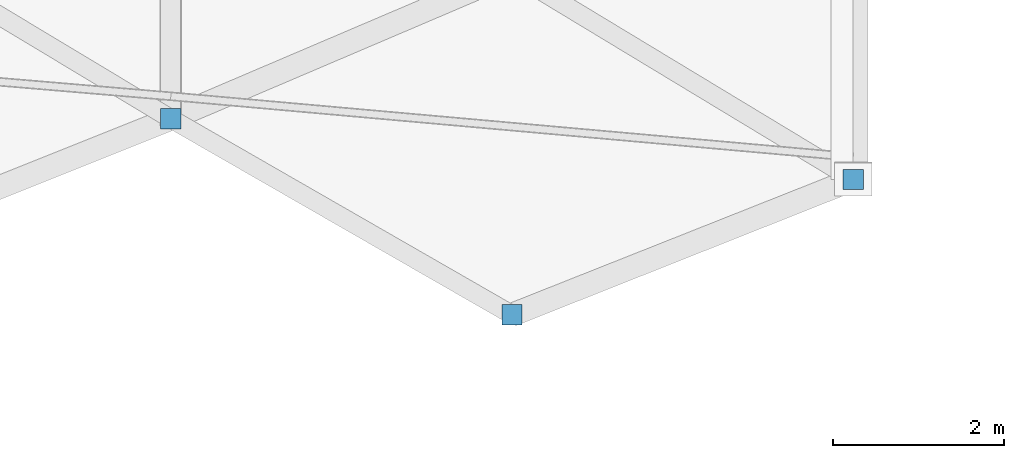
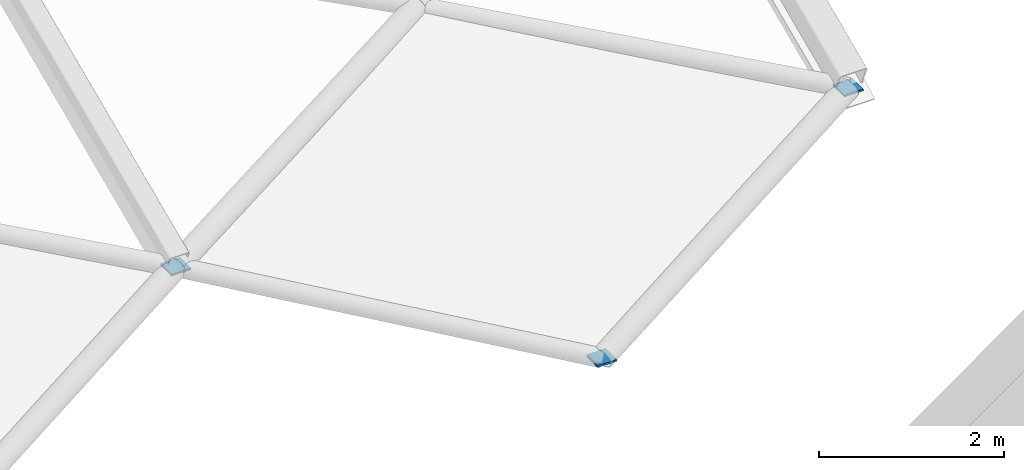
# One storey, part 45 of 54: 3 discrete accessories.
"""IFC4 building model written with IfcOpenShell, lengths in metres."""

from ifc_helpers import new_model, si_unit, direction, frame, origin, origin_2d, place, context, subcontext, project, spatial, rectangle, extrude, material, type_object, element, save


model = new_model("IFC4")

# Units and contexts
model_context = context("Model", 3, precision=1e-05, world=origin(), true_north=direction((0.0, 1.0)))
body_context = subcontext(model_context, "Body", "Model", "MODEL_VIEW")
ifc_project = project(units=[si_unit("LENGTHUNIT", "METRE"), si_unit("AREAUNIT", "SQUARE_METRE"), si_unit("VOLUMEUNIT", "CUBIC_METRE"), si_unit("PLANEANGLEUNIT", "RADIAN"), si_unit("MASSUNIT", "GRAM", prefix="KILO")], contexts=[model_context])

# Site, building, storey
site_placement = place(None, origin())
site = spatial("IfcSite", under=ifc_project, at=site_placement, CompositionType="ELEMENT")
building_placement = place(site_placement, origin())
building = spatial("IfcBuilding", under=site, at=building_placement, Name="Kenh Van Central Station", CompositionType="ELEMENT")
storey_placement = place(building_placement, frame((0.0, 0.0, 15.0)))
storey = spatial("IfcBuildingStorey", under=building, at=storey_placement, Name="L03", CompositionType="ELEMENT", Elevation=15.0)

# Discrete accessories
ifc_material = material(Name="White fluoropolymer structural steel S355", Category="steel")
discrete_accessory_type = type_object("IfcDiscreteAccessoryType", Name="ACC-END-NODE-VLT", PredefinedType="BRACKET", material=ifc_material)
for number, where, z_axis, x_axis, name in (
    (1, (136.0, 70.9814453125, 2.216064453125), (0.0, 0.0, 1.0), (1.0, 0.0, 0.0), "L03 brace end connection node plate 0274"),
    (2, (140.0, 68.682373046875, 1.0029296875), (0.0, 0.0, 1.0), (1.0, 0.0, 0.0), "L03 brace end connection node plate 0283"),
    (3, (144.0, 70.269287109375, 2.216064453125), (0.0, 0.0, 1.0), (1.0, 0.0, 0.0), "L03 brace end connection node plate 0295"),
):
    element("IfcDiscreteAccessory", number, at=place(storey_placement, frame(where, z_axis=z_axis, x_axis=x_axis)), inside=storey, type_object=discrete_accessory_type, Name=name, PredefinedType="BRACKET", context=body_context, shape_type="SweptSolid", body=[
        extrude(rectangle(XDim=0.239990234375, YDim=0.239990234375, at=origin_2d()), origin(), (0.0, 0.0, 1.0), 0.02490234375),
    ])

save(model, "model.ifc")
